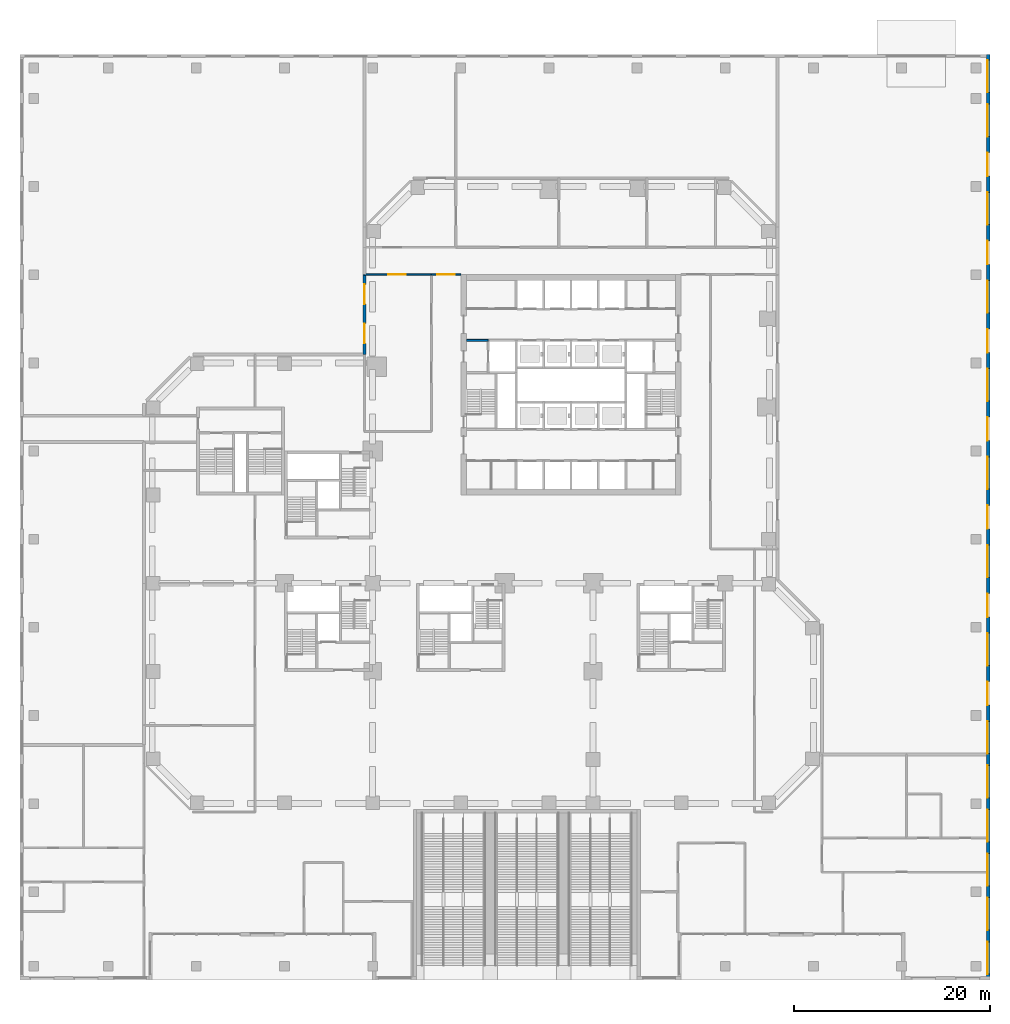
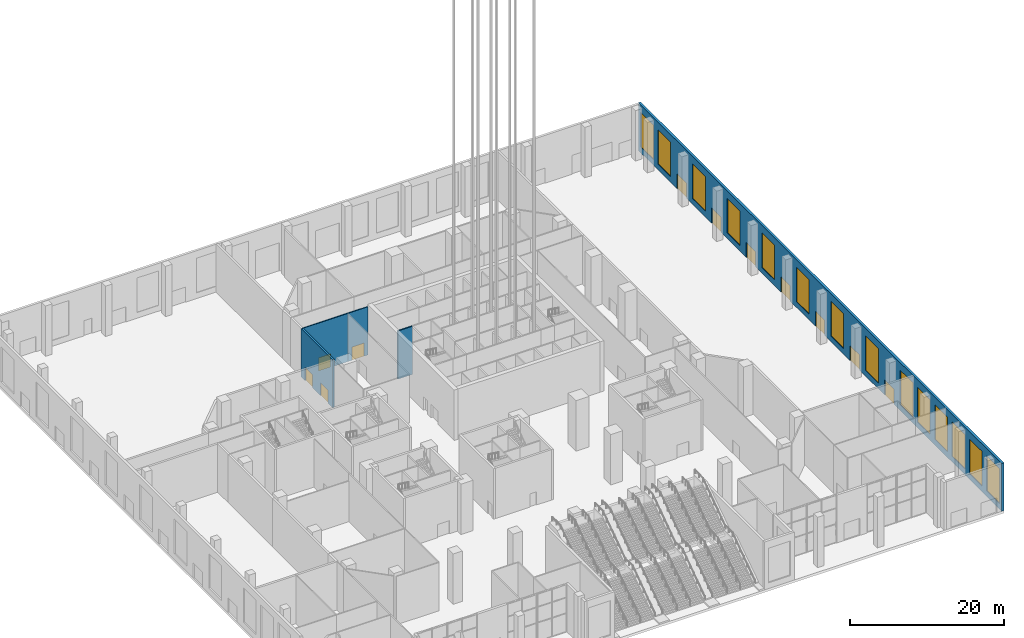
# One storey, part 14 of 32: 14 windows, 11 doors, 5 walls, 25 openings.
"""IFC4 building model written with IfcOpenShell, lengths in metres."""

from ifc_helpers import new_model, si_unit, direction, frame, frame_2d, origin, place, context, subcontext, project, spatial, rectangle, extrude, material, layer, layer_set, constituent, constituent_set, type_object, element, fill, save


model = new_model("IFC4")

# Units and contexts
model_context = context("Model", 3, precision=1e-05, world=origin(), true_north=direction((0.0, 1.0)))
body_context = subcontext(model_context, "Body", "Model", "MODEL_VIEW")
ifc_project = project(units=[si_unit("LENGTHUNIT", "METRE"), si_unit("AREAUNIT", "SQUARE_METRE"), si_unit("VOLUMEUNIT", "CUBIC_METRE"), si_unit("PLANEANGLEUNIT", "RADIAN"), si_unit("MASSUNIT", "GRAM", prefix="KILO")], contexts=[model_context])

# Site, building, storey
site_placement = place(None, origin())
site = spatial("IfcSite", under=ifc_project, at=site_placement, CompositionType="ELEMENT")
building_placement = place(site_placement, origin())
building = spatial("IfcBuilding", under=site, at=building_placement, Name="Quoin Convention Tower", CompositionType="ELEMENT")
storey_placement = place(building_placement, origin())
storey = spatial("IfcBuildingStorey", under=building, at=storey_placement, Name="L00", CompositionType="ELEMENT", Elevation=0.0)

# Wall, openings, doors
ifc_material_1 = material(Name="Plasterboard")
ifc_layer_1 = layer(ifc_material_1, 0.012451171875, Name="Finish")
ifc_material_2 = material(Name="Steel stud framing", Category="steel")
ifc_layer_2 = layer(ifc_material_2, 0.27490234375, Name="Structure")
ifc_layer_3 = layer(ifc_material_1, 0.012451171875, Name="Finish")
ifc_layer_set_1 = layer_set([ifc_layer_1, ifc_layer_2, ifc_layer_3], Name="Steel stud framing")
wall_type_1 = type_object("IfcWallType", Name="Acoustic wall 300", PredefinedType="PARTITIONING", material=ifc_layer_set_1)
wall_1_placement = place(storey_placement, frame((35.14990234375, 63.85009765625, 0.0), z_axis=(0.0, 0.0, 1.0), x_axis=(0.0, 1.0, 0.0)))
wall_1 = element("IfcWall", 1, at=wall_1_placement, inside=storey, type_object=wall_type_1, Name="pw-L00-075", PredefinedType="PARTITIONING", context=body_context, shape_type="SweptSolid", body=[
    extrude(rectangle(XDim=8.14990234375, YDim=0.300048828125, at=frame_2d((4.074951171875, 0.0))), origin(), (0.0, 0.0, 1.0), 7.64990234375),
])
opening_1_placement = place(wall_1_placement, frame((1.14990234375, 0.0, 0.0)))
opening_1 = element("IfcOpeningElement", 2, at=opening_1_placement, cuts=wall_1, Name="Opening DPD0-29", PredefinedType="OPENING", context=body_context, shape_type="SweptSolid", body=[
    extrude(rectangle(XDim=2.0, YDim=2.10009765625, at=frame_2d((1.0, 1.050048828125))), frame((0.0, 0.159912109375, 0.0), z_axis=(0.0, -1.0, 0.0), x_axis=(1.0, 0.0, 0.0)), (0.0, 0.0, 1.0), 0.320068359375),
])
opening_2_placement = place(wall_1_placement, frame((5.14990234375, 0.0, 0.0)))
opening_2 = element("IfcOpeningElement", 3, at=opening_2_placement, cuts=wall_1, Name="Opening DPD0-30", PredefinedType="OPENING", context=body_context, shape_type="SweptSolid", body=[
    extrude(rectangle(XDim=2.0, YDim=2.10009765625, at=frame_2d((1.0, 1.050048828125))), frame((0.0, 0.159912109375, 0.0), z_axis=(0.0, -1.0, 0.0), x_axis=(1.0, 0.0, 0.0)), (0.0, 0.0, 1.0), 0.320068359375),
])
ifc_material_3 = material(Name="Steel door leaf", Category="steel")
door_type_1 = type_object("IfcDoorType", Name="Double leaf door 2000", OperationType="DOUBLE_DOOR_SINGLE_SWING", PredefinedType="DOOR", material=ifc_material_3)
door_1_placement = place(opening_1_placement, frame((2.0, 0.0, 0.0), z_axis=(0.0, 0.0, 1.0), x_axis=(-1.0, 0.0, 0.0)))
door_1 = element("IfcDoor", 4, at=door_1_placement, inside=storey, type_object=door_type_1, Name="dr-L00-001", OperationType="DOUBLE_DOOR_SINGLE_SWING", OverallHeight=2.10009765625, OverallWidth=2.0, PredefinedType="DOOR", context=body_context, shape_type="SweptSolid", body=[
    extrude(rectangle(XDim=2.0, YDim=2.10009765625, at=frame_2d((1.0, 1.050048828125))), frame((0.0, 0.02490234375, 0.0), z_axis=(0.0, -1.0, 0.0), x_axis=(1.0, 0.0, 0.0)), (0.0, 0.0, 1.0), 0.050048828125),
])
fill(opening_1, door_1)
door_2_placement = place(opening_2_placement, frame((2.0, 0.0, 0.0), z_axis=(0.0, 0.0, 1.0), x_axis=(-1.0, 0.0, 0.0)))
door_2 = element("IfcDoor", 5, at=door_2_placement, inside=storey, type_object=door_type_1, Name="dr-L00-002", OperationType="DOUBLE_DOOR_SINGLE_SWING", OverallHeight=2.10009765625, OverallWidth=2.0, PredefinedType="DOOR", context=body_context, shape_type="SweptSolid", body=[
    extrude(rectangle(XDim=2.0, YDim=2.10009765625, at=frame_2d((1.0, 1.050048828125))), frame((0.0, 0.02490234375, 0.0), z_axis=(0.0, -1.0, 0.0), x_axis=(1.0, 0.0, 0.0)), (0.0, 0.0, 1.0), 0.050048828125),
])
fill(opening_2, door_2)

# Wall, openings, doors, windows
ifc_material_4 = material(Name="Brick masonry", Category="masonry")
ifc_layer_4 = layer(ifc_material_4, 0.35009765625)
ifc_layer_set_2 = layer_set([ifc_layer_4], Name="Brick masonry")
wall_type_2 = type_object("IfcWallType", Name="Brick facade wall", PredefinedType="STANDARD", material=ifc_layer_set_2)
wall_2_placement = place(storey_placement, frame((98.824951171875, 0.0, 0.0), z_axis=(0.0, 0.0, 1.0), x_axis=(0.0, 1.0, 0.0)))
wall_2 = element("IfcWall", 6, at=wall_2_placement, inside=storey, type_object=wall_type_2, Name="fw-L00-99000_0", PredefinedType="STANDARD", context=body_context, shape_type="SweptSolid", body=[
    extrude(rectangle(XDim=94.5, YDim=0.35009765625, at=frame_2d((47.25, 0.0))), origin(), (0.0, 0.0, 1.0), 7.590087890625),
])
opening_3_placement = place(wall_2_placement, frame((0.60009765625, 0.0, 0.89990234375)))
opening_3 = element("IfcOpeningElement", 7, at=opening_3_placement, cuts=wall_2, Name="Opening W-06", PredefinedType="OPENING", context=body_context, shape_type="SweptSolid", body=[
    extrude(rectangle(XDim=3.300048828125, YDim=5.5, at=frame_2d((1.64990234375, 2.75))), frame((0.0, 0.18505859375, 0.0), z_axis=(0.0, -1.0, 0.0), x_axis=(1.0, 0.0, 0.0)), (0.0, 0.0, 1.0), 0.3701171875),
])
opening_4_placement = place(wall_2_placement, frame((5.10009765625, 0.0, 0.89990234375)))
opening_4 = element("IfcOpeningElement", 8, at=opening_4_placement, cuts=wall_2, Name="Opening W-06", PredefinedType="OPENING", context=body_context, shape_type="SweptSolid", body=[
    extrude(rectangle(XDim=3.300048828125, YDim=5.5, at=frame_2d((1.64990234375, 2.75))), frame((0.0, 0.18505859375, 0.0), z_axis=(0.0, -1.0, 0.0), x_axis=(1.0, 0.0, 0.0)), (0.0, 0.0, 1.0), 0.3701171875),
])
opening_5_placement = place(wall_2_placement, frame((9.60009765625, 0.0, 0.89990234375)))
opening_5 = element("IfcOpeningElement", 9, at=opening_5_placement, cuts=wall_2, Name="Opening W-06", PredefinedType="OPENING", context=body_context, shape_type="SweptSolid", body=[
    extrude(rectangle(XDim=3.300048828125, YDim=5.5, at=frame_2d((1.64990234375, 2.75))), frame((0.0, 0.18505859375, 0.0), z_axis=(0.0, -1.0, 0.0), x_axis=(1.0, 0.0, 0.0)), (0.0, 0.0, 1.0), 0.3701171875),
])
opening_6_placement = place(wall_2_placement, frame((14.10009765625, 0.0, 0.89990234375)))
opening_6 = element("IfcOpeningElement", 10, at=opening_6_placement, cuts=wall_2, Name="Opening W-06", PredefinedType="OPENING", context=body_context, shape_type="SweptSolid", body=[
    extrude(rectangle(XDim=3.300048828125, YDim=5.5, at=frame_2d((1.64990234375, 2.75))), frame((0.0, 0.18505859375, 0.0), z_axis=(0.0, -1.0, 0.0), x_axis=(1.0, 0.0, 0.0)), (0.0, 0.0, 1.0), 0.3701171875),
])
opening_7_placement = place(wall_2_placement, frame((18.60009765625, 0.0, 0.89990234375)))
opening_7 = element("IfcOpeningElement", 11, at=opening_7_placement, cuts=wall_2, Name="Opening W-06", PredefinedType="OPENING", context=body_context, shape_type="SweptSolid", body=[
    extrude(rectangle(XDim=3.300048828125, YDim=5.5, at=frame_2d((1.64990234375, 2.75))), frame((0.0, 0.18505859375, 0.0), z_axis=(0.0, -1.0, 0.0), x_axis=(1.0, 0.0, 0.0)), (0.0, 0.0, 1.0), 0.3701171875),
])
opening_8_placement = place(wall_2_placement, frame((23.10009765625, 0.0, 0.89990234375)))
opening_8 = element("IfcOpeningElement", 12, at=opening_8_placement, cuts=wall_2, Name="Opening W-06", PredefinedType="OPENING", context=body_context, shape_type="SweptSolid", body=[
    extrude(rectangle(XDim=3.300048828125, YDim=5.5, at=frame_2d((1.64990234375, 2.75))), frame((0.0, 0.18505859375, 0.0), z_axis=(0.0, -1.0, 0.0), x_axis=(1.0, 0.0, 0.0)), (0.0, 0.0, 1.0), 0.3701171875),
])
opening_9_placement = place(wall_2_placement, frame((28.050048828125, 0.0, 0.0)))
opening_9 = element("IfcOpeningElement", 13, at=opening_9_placement, cuts=wall_2, Name="Opening D-T5", PredefinedType="OPENING", context=body_context, shape_type="SweptSolid", body=[
    extrude(rectangle(XDim=2.39990234375, YDim=2.39990234375, at=frame_2d((1.199951171875, 1.199951171875))), frame((0.0, 0.18505859375, 0.0), z_axis=(0.0, -1.0, 0.0), x_axis=(1.0, 0.0, 0.0)), (0.0, 0.0, 1.0), 0.3701171875),
])
opening_10_placement = place(wall_2_placement, frame((32.10009765625, 0.0, 0.89990234375)))
opening_10 = element("IfcOpeningElement", 14, at=opening_10_placement, cuts=wall_2, Name="Opening W-06", PredefinedType="OPENING", context=body_context, shape_type="SweptSolid", body=[
    extrude(rectangle(XDim=3.300048828125, YDim=5.5, at=frame_2d((1.64990234375, 2.75))), frame((0.0, 0.18505859375, 0.0), z_axis=(0.0, -1.0, 0.0), x_axis=(1.0, 0.0, 0.0)), (0.0, 0.0, 1.0), 0.3701171875),
])
opening_11_placement = place(wall_2_placement, frame((37.050048828125, 0.0, 0.0)))
opening_11 = element("IfcOpeningElement", 15, at=opening_11_placement, cuts=wall_2, Name="Opening D-T5", PredefinedType="OPENING", context=body_context, shape_type="SweptSolid", body=[
    extrude(rectangle(XDim=2.39990234375, YDim=2.39990234375, at=frame_2d((1.199951171875, 1.199951171875))), frame((0.0, 0.18505859375, 0.0), z_axis=(0.0, -1.0, 0.0), x_axis=(1.0, 0.0, 0.0)), (0.0, 0.0, 1.0), 0.3701171875),
])
opening_12_placement = place(wall_2_placement, frame((41.10009765625, 0.0, 0.89990234375)))
opening_12 = element("IfcOpeningElement", 16, at=opening_12_placement, cuts=wall_2, Name="Opening W-06", PredefinedType="OPENING", context=body_context, shape_type="SweptSolid", body=[
    extrude(rectangle(XDim=3.300048828125, YDim=5.5, at=frame_2d((1.64990234375, 2.75))), frame((0.0, 0.18505859375, 0.0), z_axis=(0.0, -1.0, 0.0), x_axis=(1.0, 0.0, 0.0)), (0.0, 0.0, 1.0), 0.3701171875),
])
opening_13_placement = place(wall_2_placement, frame((46.050048828125, 0.0, 0.0)))
opening_13 = element("IfcOpeningElement", 17, at=opening_13_placement, cuts=wall_2, Name="Opening D-T5", PredefinedType="OPENING", context=body_context, shape_type="SweptSolid", body=[
    extrude(rectangle(XDim=2.39990234375, YDim=2.39990234375, at=frame_2d((1.199951171875, 1.199951171875))), frame((0.0, 0.18505859375, 0.0), z_axis=(0.0, -1.0, 0.0), x_axis=(1.0, 0.0, 0.0)), (0.0, 0.0, 1.0), 0.3701171875),
])
opening_14_placement = place(wall_2_placement, frame((50.10009765625, 0.0, 0.89990234375)))
opening_14 = element("IfcOpeningElement", 18, at=opening_14_placement, cuts=wall_2, Name="Opening W-06", PredefinedType="OPENING", context=body_context, shape_type="SweptSolid", body=[
    extrude(rectangle(XDim=3.300048828125, YDim=5.5, at=frame_2d((1.64990234375, 2.75))), frame((0.0, 0.18505859375, 0.0), z_axis=(0.0, -1.0, 0.0), x_axis=(1.0, 0.0, 0.0)), (0.0, 0.0, 1.0), 0.3701171875),
])
opening_15_placement = place(wall_2_placement, frame((55.050048828125, 0.0, 0.0)))
opening_15 = element("IfcOpeningElement", 19, at=opening_15_placement, cuts=wall_2, Name="Opening D-T5", PredefinedType="OPENING", context=body_context, shape_type="SweptSolid", body=[
    extrude(rectangle(XDim=2.39990234375, YDim=2.39990234375, at=frame_2d((1.199951171875, 1.199951171875))), frame((0.0, 0.18505859375, 0.0), z_axis=(0.0, -1.0, 0.0), x_axis=(1.0, 0.0, 0.0)), (0.0, 0.0, 1.0), 0.3701171875),
])
opening_16_placement = place(wall_2_placement, frame((59.10009765625, 0.0, 0.89990234375)))
opening_16 = element("IfcOpeningElement", 20, at=opening_16_placement, cuts=wall_2, Name="Opening W-06", PredefinedType="OPENING", context=body_context, shape_type="SweptSolid", body=[
    extrude(rectangle(XDim=3.300048828125, YDim=5.5, at=frame_2d((1.64990234375, 2.75))), frame((0.0, 0.18505859375, 0.0), z_axis=(0.0, -1.0, 0.0), x_axis=(1.0, 0.0, 0.0)), (0.0, 0.0, 1.0), 0.3701171875),
])
opening_17_placement = place(wall_2_placement, frame((64.050048828125, 0.0, 0.0)))
opening_17 = element("IfcOpeningElement", 21, at=opening_17_placement, cuts=wall_2, Name="Opening D-T5", PredefinedType="OPENING", context=body_context, shape_type="SweptSolid", body=[
    extrude(rectangle(XDim=2.39990234375, YDim=2.39990234375, at=frame_2d((1.199951171875, 1.199951171875))), frame((0.0, 0.18505859375, 0.0), z_axis=(0.0, -1.0, 0.0), x_axis=(1.0, 0.0, 0.0)), (0.0, 0.0, 1.0), 0.3701171875),
])
opening_18_placement = place(wall_2_placement, frame((68.10009765625, 0.0, 0.89990234375)))
opening_18 = element("IfcOpeningElement", 22, at=opening_18_placement, cuts=wall_2, Name="Opening W-06", PredefinedType="OPENING", context=body_context, shape_type="SweptSolid", body=[
    extrude(rectangle(XDim=3.300048828125, YDim=5.5, at=frame_2d((1.64990234375, 2.75))), frame((0.0, 0.18505859375, 0.0), z_axis=(0.0, -1.0, 0.0), x_axis=(1.0, 0.0, 0.0)), (0.0, 0.0, 1.0), 0.3701171875),
])
opening_19_placement = place(wall_2_placement, frame((73.050048828125, 0.0, 0.0)))
opening_19 = element("IfcOpeningElement", 23, at=opening_19_placement, cuts=wall_2, Name="Opening D-T5", PredefinedType="OPENING", context=body_context, shape_type="SweptSolid", body=[
    extrude(rectangle(XDim=2.39990234375, YDim=2.39990234375, at=frame_2d((1.199951171875, 1.199951171875))), frame((0.0, 0.18505859375, 0.0), z_axis=(0.0, -1.0, 0.0), x_axis=(1.0, 0.0, 0.0)), (0.0, 0.0, 1.0), 0.3701171875),
])
opening_20_placement = place(wall_2_placement, frame((77.10009765625, 0.0, 0.89990234375)))
opening_20 = element("IfcOpeningElement", 24, at=opening_20_placement, cuts=wall_2, Name="Opening W-06", PredefinedType="OPENING", context=body_context, shape_type="SweptSolid", body=[
    extrude(rectangle(XDim=3.300048828125, YDim=5.5, at=frame_2d((1.64990234375, 2.75))), frame((0.0, 0.18505859375, 0.0), z_axis=(0.0, -1.0, 0.0), x_axis=(1.0, 0.0, 0.0)), (0.0, 0.0, 1.0), 0.3701171875),
])
opening_21_placement = place(wall_2_placement, frame((82.050048828125, 0.0, 0.0)))
opening_21 = element("IfcOpeningElement", 25, at=opening_21_placement, cuts=wall_2, Name="Opening D-T5", PredefinedType="OPENING", context=body_context, shape_type="SweptSolid", body=[
    extrude(rectangle(XDim=2.39990234375, YDim=2.39990234375, at=frame_2d((1.199951171875, 1.199951171875))), frame((0.0, 0.18505859375, 0.0), z_axis=(0.0, -1.0, 0.0), x_axis=(1.0, 0.0, 0.0)), (0.0, 0.0, 1.0), 0.3701171875),
])
opening_22_placement = place(wall_2_placement, frame((86.10009765625, 0.0, 0.89990234375)))
opening_22 = element("IfcOpeningElement", 26, at=opening_22_placement, cuts=wall_2, Name="Opening W-06", PredefinedType="OPENING", context=body_context, shape_type="SweptSolid", body=[
    extrude(rectangle(XDim=3.300048828125, YDim=5.5, at=frame_2d((1.64990234375, 2.75))), frame((0.0, 0.18505859375, 0.0), z_axis=(0.0, -1.0, 0.0), x_axis=(1.0, 0.0, 0.0)), (0.0, 0.0, 1.0), 0.3701171875),
])
opening_23_placement = place(wall_2_placement, frame((90.60009765625, 0.0, 0.89990234375)))
opening_23 = element("IfcOpeningElement", 27, at=opening_23_placement, cuts=wall_2, Name="Opening W-06", PredefinedType="OPENING", context=body_context, shape_type="SweptSolid", body=[
    extrude(rectangle(XDim=3.300048828125, YDim=5.5, at=frame_2d((1.64990234375, 2.75))), frame((0.0, 0.18505859375, 0.0), z_axis=(0.0, -1.0, 0.0), x_axis=(1.0, 0.0, 0.0)), (0.0, 0.0, 1.0), 0.3701171875),
])
ifc_material_5 = material(Name="Galvanised steel", Category="steel")
door_type_2 = type_object("IfcDoorType", Name="Exit door", OperationType="DOUBLE_DOOR_SINGLE_SWING", PredefinedType="DOOR", material=ifc_material_5)
door_3_placement = place(opening_9_placement, frame((2.39990234375, 0.0, 0.0), z_axis=(0.0, 0.0, 1.0), x_axis=(-1.0, 0.0, 0.0)))
door_3 = element("IfcDoor", 28, at=door_3_placement, inside=storey, type_object=door_type_2, Name="dr-L00-98825_29250", OperationType="DOUBLE_DOOR_SINGLE_SWING", OverallHeight=2.39990234375, OverallWidth=2.39990234375, PredefinedType="DOOR", context=body_context, shape_type="SweptSolid", body=[
    extrude(rectangle(XDim=2.39990234375, YDim=2.39990234375, at=frame_2d((1.199951171875, 1.199951171875))), frame((0.0, -0.02978515625, 0.0), z_axis=(0.0, -1.0, 0.0), x_axis=(1.0, 0.0, 0.0)), (0.0, 0.0, 1.0), 0.050048828125),
])
fill(opening_9, door_3)
door_4_placement = place(opening_11_placement, frame((2.39990234375, 0.0, 0.0), z_axis=(0.0, 0.0, 1.0), x_axis=(-1.0, 0.0, 0.0)))
door_4 = element("IfcDoor", 29, at=door_4_placement, inside=storey, type_object=door_type_2, Name="dr-L00-98825_38250", OperationType="DOUBLE_DOOR_SINGLE_SWING", OverallHeight=2.39990234375, OverallWidth=2.39990234375, PredefinedType="DOOR", context=body_context, shape_type="SweptSolid", body=[
    extrude(rectangle(XDim=2.39990234375, YDim=2.39990234375, at=frame_2d((1.199951171875, 1.199951171875))), frame((0.0, -0.02978515625, 0.0), z_axis=(0.0, -1.0, 0.0), x_axis=(1.0, 0.0, 0.0)), (0.0, 0.0, 1.0), 0.050048828125),
])
fill(opening_11, door_4)
door_5_placement = place(opening_13_placement, frame((2.39990234375, 0.0, 0.0), z_axis=(0.0, 0.0, 1.0), x_axis=(-1.0, 0.0, 0.0)))
door_5 = element("IfcDoor", 30, at=door_5_placement, inside=storey, type_object=door_type_2, Name="dr-L00-98825_47250", OperationType="DOUBLE_DOOR_SINGLE_SWING", OverallHeight=2.39990234375, OverallWidth=2.39990234375, PredefinedType="DOOR", context=body_context, shape_type="SweptSolid", body=[
    extrude(rectangle(XDim=2.39990234375, YDim=2.39990234375, at=frame_2d((1.199951171875, 1.199951171875))), frame((0.0, -0.02978515625, 0.0), z_axis=(0.0, -1.0, 0.0), x_axis=(1.0, 0.0, 0.0)), (0.0, 0.0, 1.0), 0.050048828125),
])
fill(opening_13, door_5)
door_6_placement = place(opening_15_placement, frame((2.39990234375, 0.0, 0.0), z_axis=(0.0, 0.0, 1.0), x_axis=(-1.0, 0.0, 0.0)))
door_6 = element("IfcDoor", 31, at=door_6_placement, inside=storey, type_object=door_type_2, Name="dr-L00-98825_56250", OperationType="DOUBLE_DOOR_SINGLE_SWING", OverallHeight=2.39990234375, OverallWidth=2.39990234375, PredefinedType="DOOR", context=body_context, shape_type="SweptSolid", body=[
    extrude(rectangle(XDim=2.39990234375, YDim=2.39990234375, at=frame_2d((1.199951171875, 1.199951171875))), frame((0.0, -0.02978515625, 0.0), z_axis=(0.0, -1.0, 0.0), x_axis=(1.0, 0.0, 0.0)), (0.0, 0.0, 1.0), 0.050048828125),
])
fill(opening_15, door_6)
door_7_placement = place(opening_17_placement, frame((2.39990234375, 0.0, 0.0), z_axis=(0.0, 0.0, 1.0), x_axis=(-1.0, 0.0, 0.0)))
door_7 = element("IfcDoor", 32, at=door_7_placement, inside=storey, type_object=door_type_2, Name="dr-L00-98825_65250", OperationType="DOUBLE_DOOR_SINGLE_SWING", OverallHeight=2.39990234375, OverallWidth=2.39990234375, PredefinedType="DOOR", context=body_context, shape_type="SweptSolid", body=[
    extrude(rectangle(XDim=2.39990234375, YDim=2.39990234375, at=frame_2d((1.199951171875, 1.199951171875))), frame((0.0, -0.02978515625, 0.0), z_axis=(0.0, -1.0, 0.0), x_axis=(1.0, 0.0, 0.0)), (0.0, 0.0, 1.0), 0.050048828125),
])
fill(opening_17, door_7)
door_8_placement = place(opening_19_placement, frame((2.39990234375, 0.0, 0.0), z_axis=(0.0, 0.0, 1.0), x_axis=(-1.0, 0.0, 0.0)))
door_8 = element("IfcDoor", 33, at=door_8_placement, inside=storey, type_object=door_type_2, Name="dr-L00-98825_74250", OperationType="DOUBLE_DOOR_SINGLE_SWING", OverallHeight=2.39990234375, OverallWidth=2.39990234375, PredefinedType="DOOR", context=body_context, shape_type="SweptSolid", body=[
    extrude(rectangle(XDim=2.39990234375, YDim=2.39990234375, at=frame_2d((1.199951171875, 1.199951171875))), frame((0.0, -0.02978515625, 0.0), z_axis=(0.0, -1.0, 0.0), x_axis=(1.0, 0.0, 0.0)), (0.0, 0.0, 1.0), 0.050048828125),
])
fill(opening_19, door_8)
door_9_placement = place(opening_21_placement, frame((2.39990234375, 0.0, 0.0), z_axis=(0.0, 0.0, 1.0), x_axis=(-1.0, 0.0, 0.0)))
door_9 = element("IfcDoor", 34, at=door_9_placement, inside=storey, type_object=door_type_2, Name="dr-L00-98825_83250", OperationType="DOUBLE_DOOR_SINGLE_SWING", OverallHeight=2.39990234375, OverallWidth=2.39990234375, PredefinedType="DOOR", context=body_context, shape_type="SweptSolid", body=[
    extrude(rectangle(XDim=2.39990234375, YDim=2.39990234375, at=frame_2d((1.199951171875, 1.199951171875))), frame((0.0, -0.02978515625, 0.0), z_axis=(0.0, -1.0, 0.0), x_axis=(1.0, 0.0, 0.0)), (0.0, 0.0, 1.0), 0.050048828125),
])
fill(opening_21, door_9)
ifc_material_6 = material(Name="Aluminium", Category="aluminium")
ifc_constituent_1 = constituent(ifc_material_6, Name="Frame")
ifc_material_7 = material(Name="Insulated glass", Category="glass")
ifc_constituent_2 = constituent(ifc_material_7, Name="Glazing")
ifc_constituent_set = constituent_set(constituents=[ifc_constituent_1, ifc_constituent_2], Name="Aluminium")
window_type = type_object("IfcWindowType", Name="Podium street window", PartitioningType="TRIPLE_PANEL_VERTICAL", PredefinedType="WINDOW", material=ifc_constituent_set)
window_1_placement = place(opening_3_placement, origin())
window_1 = element("IfcWindow", 35, at=window_1_placement, inside=storey, type_object=window_type, Name="win-L00-98825_2250", OverallHeight=5.5, OverallWidth=3.300048828125, PartitioningType="SINGLE_PANEL", PredefinedType="WINDOW", context=body_context, shape_type="SweptSolid", body=[
    extrude(rectangle(XDim=3.300048828125, YDim=5.5, at=frame_2d((1.64990234375, 2.75))), frame((0.0, 0.0849609375, 0.0), z_axis=(0.0, -1.0, 0.0), x_axis=(1.0, 0.0, 0.0)), (0.0, 0.0, 1.0), 0.06005859375),
])
fill(opening_3, window_1)
window_2_placement = place(opening_4_placement, origin())
window_2 = element("IfcWindow", 36, at=window_2_placement, inside=storey, type_object=window_type, Name="win-L00-98825_6750", OverallHeight=5.5, OverallWidth=3.300048828125, PartitioningType="SINGLE_PANEL", PredefinedType="WINDOW", context=body_context, shape_type="SweptSolid", body=[
    extrude(rectangle(XDim=3.300048828125, YDim=5.5, at=frame_2d((1.64990234375, 2.75))), frame((0.0, 0.0849609375, 0.0), z_axis=(0.0, -1.0, 0.0), x_axis=(1.0, 0.0, 0.0)), (0.0, 0.0, 1.0), 0.06005859375),
])
fill(opening_4, window_2)
window_3_placement = place(opening_5_placement, origin())
window_3 = element("IfcWindow", 37, at=window_3_placement, inside=storey, type_object=window_type, Name="win-L00-98825_11250", OverallHeight=5.5, OverallWidth=3.300048828125, PartitioningType="SINGLE_PANEL", PredefinedType="WINDOW", context=body_context, shape_type="SweptSolid", body=[
    extrude(rectangle(XDim=3.300048828125, YDim=5.5, at=frame_2d((1.64990234375, 2.75))), frame((0.0, 0.0849609375, 0.0), z_axis=(0.0, -1.0, 0.0), x_axis=(1.0, 0.0, 0.0)), (0.0, 0.0, 1.0), 0.06005859375),
])
fill(opening_5, window_3)
window_4_placement = place(opening_6_placement, origin())
window_4 = element("IfcWindow", 38, at=window_4_placement, inside=storey, type_object=window_type, Name="win-L00-98825_15750", OverallHeight=5.5, OverallWidth=3.300048828125, PartitioningType="SINGLE_PANEL", PredefinedType="WINDOW", context=body_context, shape_type="SweptSolid", body=[
    extrude(rectangle(XDim=3.300048828125, YDim=5.5, at=frame_2d((1.64990234375, 2.75))), frame((0.0, 0.0849609375, 0.0), z_axis=(0.0, -1.0, 0.0), x_axis=(1.0, 0.0, 0.0)), (0.0, 0.0, 1.0), 0.06005859375),
])
fill(opening_6, window_4)
window_5_placement = place(opening_7_placement, origin())
window_5 = element("IfcWindow", 39, at=window_5_placement, inside=storey, type_object=window_type, Name="win-L00-98825_20250", OverallHeight=5.5, OverallWidth=3.300048828125, PartitioningType="SINGLE_PANEL", PredefinedType="WINDOW", context=body_context, shape_type="SweptSolid", body=[
    extrude(rectangle(XDim=3.300048828125, YDim=5.5, at=frame_2d((1.64990234375, 2.75))), frame((0.0, 0.0849609375, 0.0), z_axis=(0.0, -1.0, 0.0), x_axis=(1.0, 0.0, 0.0)), (0.0, 0.0, 1.0), 0.06005859375),
])
fill(opening_7, window_5)
window_6_placement = place(opening_8_placement, origin())
window_6 = element("IfcWindow", 40, at=window_6_placement, inside=storey, type_object=window_type, Name="win-L00-98825_24750", OverallHeight=5.5, OverallWidth=3.300048828125, PartitioningType="SINGLE_PANEL", PredefinedType="WINDOW", context=body_context, shape_type="SweptSolid", body=[
    extrude(rectangle(XDim=3.300048828125, YDim=5.5, at=frame_2d((1.64990234375, 2.75))), frame((0.0, 0.0849609375, 0.0), z_axis=(0.0, -1.0, 0.0), x_axis=(1.0, 0.0, 0.0)), (0.0, 0.0, 1.0), 0.06005859375),
])
fill(opening_8, window_6)
window_7_placement = place(opening_10_placement, origin())
window_7 = element("IfcWindow", 41, at=window_7_placement, inside=storey, type_object=window_type, Name="win-L00-98825_33750", OverallHeight=5.5, OverallWidth=3.300048828125, PartitioningType="SINGLE_PANEL", PredefinedType="WINDOW", context=body_context, shape_type="SweptSolid", body=[
    extrude(rectangle(XDim=3.300048828125, YDim=5.5, at=frame_2d((1.64990234375, 2.75))), frame((0.0, 0.0849609375, 0.0), z_axis=(0.0, -1.0, 0.0), x_axis=(1.0, 0.0, 0.0)), (0.0, 0.0, 1.0), 0.06005859375),
])
fill(opening_10, window_7)
window_8_placement = place(opening_12_placement, origin())
window_8 = element("IfcWindow", 42, at=window_8_placement, inside=storey, type_object=window_type, Name="win-L00-98825_42750", OverallHeight=5.5, OverallWidth=3.300048828125, PartitioningType="SINGLE_PANEL", PredefinedType="WINDOW", context=body_context, shape_type="SweptSolid", body=[
    extrude(rectangle(XDim=3.300048828125, YDim=5.5, at=frame_2d((1.64990234375, 2.75))), frame((0.0, 0.0849609375, 0.0), z_axis=(0.0, -1.0, 0.0), x_axis=(1.0, 0.0, 0.0)), (0.0, 0.0, 1.0), 0.06005859375),
])
fill(opening_12, window_8)
window_9_placement = place(opening_14_placement, origin())
window_9 = element("IfcWindow", 43, at=window_9_placement, inside=storey, type_object=window_type, Name="win-L00-98825_51750", OverallHeight=5.5, OverallWidth=3.300048828125, PartitioningType="SINGLE_PANEL", PredefinedType="WINDOW", context=body_context, shape_type="SweptSolid", body=[
    extrude(rectangle(XDim=3.300048828125, YDim=5.5, at=frame_2d((1.64990234375, 2.75))), frame((0.0, 0.0849609375, 0.0), z_axis=(0.0, -1.0, 0.0), x_axis=(1.0, 0.0, 0.0)), (0.0, 0.0, 1.0), 0.06005859375),
])
fill(opening_14, window_9)
window_10_placement = place(opening_16_placement, origin())
window_10 = element("IfcWindow", 44, at=window_10_placement, inside=storey, type_object=window_type, Name="win-L00-98825_60750", OverallHeight=5.5, OverallWidth=3.300048828125, PartitioningType="SINGLE_PANEL", PredefinedType="WINDOW", context=body_context, shape_type="SweptSolid", body=[
    extrude(rectangle(XDim=3.300048828125, YDim=5.5, at=frame_2d((1.64990234375, 2.75))), frame((0.0, 0.0849609375, 0.0), z_axis=(0.0, -1.0, 0.0), x_axis=(1.0, 0.0, 0.0)), (0.0, 0.0, 1.0), 0.06005859375),
])
fill(opening_16, window_10)
window_11_placement = place(opening_18_placement, origin())
window_11 = element("IfcWindow", 45, at=window_11_placement, inside=storey, type_object=window_type, Name="win-L00-98825_69750", OverallHeight=5.5, OverallWidth=3.300048828125, PartitioningType="SINGLE_PANEL", PredefinedType="WINDOW", context=body_context, shape_type="SweptSolid", body=[
    extrude(rectangle(XDim=3.300048828125, YDim=5.5, at=frame_2d((1.64990234375, 2.75))), frame((0.0, 0.0849609375, 0.0), z_axis=(0.0, -1.0, 0.0), x_axis=(1.0, 0.0, 0.0)), (0.0, 0.0, 1.0), 0.06005859375),
])
fill(opening_18, window_11)
window_12_placement = place(opening_20_placement, origin())
window_12 = element("IfcWindow", 46, at=window_12_placement, inside=storey, type_object=window_type, Name="win-L00-98825_78750", OverallHeight=5.5, OverallWidth=3.300048828125, PartitioningType="SINGLE_PANEL", PredefinedType="WINDOW", context=body_context, shape_type="SweptSolid", body=[
    extrude(rectangle(XDim=3.300048828125, YDim=5.5, at=frame_2d((1.64990234375, 2.75))), frame((0.0, 0.0849609375, 0.0), z_axis=(0.0, -1.0, 0.0), x_axis=(1.0, 0.0, 0.0)), (0.0, 0.0, 1.0), 0.06005859375),
])
fill(opening_20, window_12)
window_13_placement = place(opening_22_placement, origin())
window_13 = element("IfcWindow", 47, at=window_13_placement, inside=storey, type_object=window_type, Name="win-L00-98825_87750", OverallHeight=5.5, OverallWidth=3.300048828125, PartitioningType="SINGLE_PANEL", PredefinedType="WINDOW", context=body_context, shape_type="SweptSolid", body=[
    extrude(rectangle(XDim=3.300048828125, YDim=5.5, at=frame_2d((1.64990234375, 2.75))), frame((0.0, 0.0849609375, 0.0), z_axis=(0.0, -1.0, 0.0), x_axis=(1.0, 0.0, 0.0)), (0.0, 0.0, 1.0), 0.06005859375),
])
fill(opening_22, window_13)
window_14_placement = place(opening_23_placement, origin())
window_14 = element("IfcWindow", 48, at=window_14_placement, inside=storey, type_object=window_type, Name="win-L00-98825_92250", OverallHeight=5.5, OverallWidth=3.300048828125, PartitioningType="SINGLE_PANEL", PredefinedType="WINDOW", context=body_context, shape_type="SweptSolid", body=[
    extrude(rectangle(XDim=3.300048828125, YDim=5.5, at=frame_2d((1.64990234375, 2.75))), frame((0.0, 0.0849609375, 0.0), z_axis=(0.0, -1.0, 0.0), x_axis=(1.0, 0.0, 0.0)), (0.0, 0.0, 1.0), 0.06005859375),
])
fill(opening_23, window_14)

# Wall
ifc_material_8 = material(Name="Concrete C50", Category="concrete")
ifc_layer_5 = layer(ifc_material_8, 0.199951171875)
ifc_layer_set_3 = layer_set([ifc_layer_5], Name="Concrete C50")
wall_type_3 = type_object("IfcWallType", Name="Core shaft wall", PredefinedType="SOLIDWALL", material=ifc_layer_set_3)
wall_3_placement = place(storey_placement, frame((45.60009765625, 65.300048828125, 0.0), z_axis=(0.0, 0.0, 1.0), x_axis=(1.0, 0.0, 0.0)))
element("IfcWall", 49, at=wall_3_placement, inside=storey, type_object=wall_type_3, Name="cr-C1-L00-h15800_600", PredefinedType="SOLIDWALL", context=body_context, shape_type="SweptSolid", body=[
    extrude(rectangle(XDim=2.199951171875, YDim=0.199951171875, at=frame_2d((1.10009765625, 0.0))), origin(), (0.0, 0.0, 1.0), 7.64990234375),
])

# Wall, opening, door
ifc_layer_6 = layer(ifc_material_1, 0.012451171875, Name="Finish")
ifc_layer_7 = layer(ifc_material_2, 0.125, Name="Structure")
ifc_layer_8 = layer(ifc_material_1, 0.012451171875, Name="Finish")
ifc_layer_set_4 = layer_set([ifc_layer_6, ifc_layer_7, ifc_layer_8], Name="Steel stud framing")
wall_type_4 = type_object("IfcWallType", Name="Partition wall 150", PredefinedType="PARTITIONING", material=ifc_layer_set_4)
wall_4_placement = place(storey_placement, frame((35.14990234375, 72.0, 0.0), z_axis=(0.0, 0.0, 1.0), x_axis=(1.0, 0.0, 0.0)))
wall_4 = element("IfcWall", 50, at=wall_4_placement, inside=storey, type_object=wall_type_4, Name="pw-L00-076", PredefinedType="PARTITIONING", context=body_context, shape_type="SweptSolid", body=[
    extrude(rectangle(XDim=6.85009765625, YDim=0.14990234375, at=frame_2d((3.425048828125, 0.0))), origin(), (0.0, 0.0, 1.0), 7.64990234375),
])
opening_24_placement = place(wall_4_placement, frame((2.449951171875, 0.0, 0.0)))
opening_24 = element("IfcOpeningElement", 51, at=opening_24_placement, cuts=wall_4, Name="Opening DPD0-31", PredefinedType="OPENING", context=body_context, shape_type="SweptSolid", body=[
    extrude(rectangle(XDim=1.800048828125, YDim=2.10009765625, at=frame_2d((0.89990234375, 1.050048828125))), frame((0.0, 0.0849609375, 0.0), z_axis=(0.0, -1.0, 0.0), x_axis=(1.0, 0.0, 0.0)), (0.0, 0.0, 1.0), 0.169921875),
])
door_type_3 = type_object("IfcDoorType", Name="Double leaf door 1800", OperationType="DOUBLE_DOOR_SINGLE_SWING", PredefinedType="DOOR", material=ifc_material_3)
door_10_placement = place(opening_24_placement, frame((1.800048828125, 0.0, 0.0), z_axis=(0.0, 0.0, 1.0), x_axis=(-1.0, 0.0, 0.0)))
door_10 = element("IfcDoor", 52, at=door_10_placement, inside=storey, type_object=door_type_3, Name="dr-L00-005", OperationType="DOUBLE_DOOR_SINGLE_SWING", OverallHeight=2.10009765625, OverallWidth=1.800048828125, PredefinedType="DOOR", context=body_context, shape_type="SweptSolid", body=[
    extrude(rectangle(XDim=1.800048828125, YDim=2.10009765625, at=frame_2d((0.89990234375, 1.050048828125))), frame((0.0, 0.02490234375, 0.0), z_axis=(0.0, -1.0, 0.0), x_axis=(1.0, 0.0, 0.0)), (0.0, 0.0, 1.0), 0.050048828125),
])
fill(opening_24, door_10)

wall_5_placement = place(storey_placement, frame((42.0, 72.0, 0.0), z_axis=(0.0, 0.0, 1.0), x_axis=(1.0, 0.0, 0.0)))
wall_5 = element("IfcWall", 53, at=wall_5_placement, inside=storey, type_object=wall_type_4, Name="pw-L00-078", PredefinedType="PARTITIONING", context=body_context, shape_type="SweptSolid", body=[
    extrude(rectangle(XDim=3.0, YDim=0.14990234375, at=frame_2d((1.5, 0.0))), origin(), (0.0, 0.0, 1.0), 7.64990234375),
])
opening_25_placement = place(wall_5_placement, frame((0.60009765625, 0.0, 0.0)))
opening_25 = element("IfcOpeningElement", 54, at=opening_25_placement, cuts=wall_5, Name="Opening DPD0-32", PredefinedType="OPENING", context=body_context, shape_type="SweptSolid", body=[
    extrude(rectangle(XDim=1.800048828125, YDim=2.10009765625, at=frame_2d((0.89990234375, 1.050048828125))), frame((0.0, 0.0849609375, 0.0), z_axis=(0.0, -1.0, 0.0), x_axis=(1.0, 0.0, 0.0)), (0.0, 0.0, 1.0), 0.169921875),
])
door_11_placement = place(opening_25_placement, origin())
door_11 = element("IfcDoor", 55, at=door_11_placement, inside=storey, type_object=door_type_3, Name="dr-L00-012", OperationType="DOUBLE_DOOR_SINGLE_SWING", OverallHeight=2.10009765625, OverallWidth=1.800048828125, PredefinedType="DOOR", context=body_context, shape_type="SweptSolid", body=[
    extrude(rectangle(XDim=1.800048828125, YDim=2.10009765625, at=frame_2d((0.89990234375, 1.050048828125))), frame((0.0, 0.02490234375, 0.0), z_axis=(0.0, -1.0, 0.0), x_axis=(1.0, 0.0, 0.0)), (0.0, 0.0, 1.0), 0.050048828125),
])
fill(opening_25, door_11)

save(model, "model.ifc")
